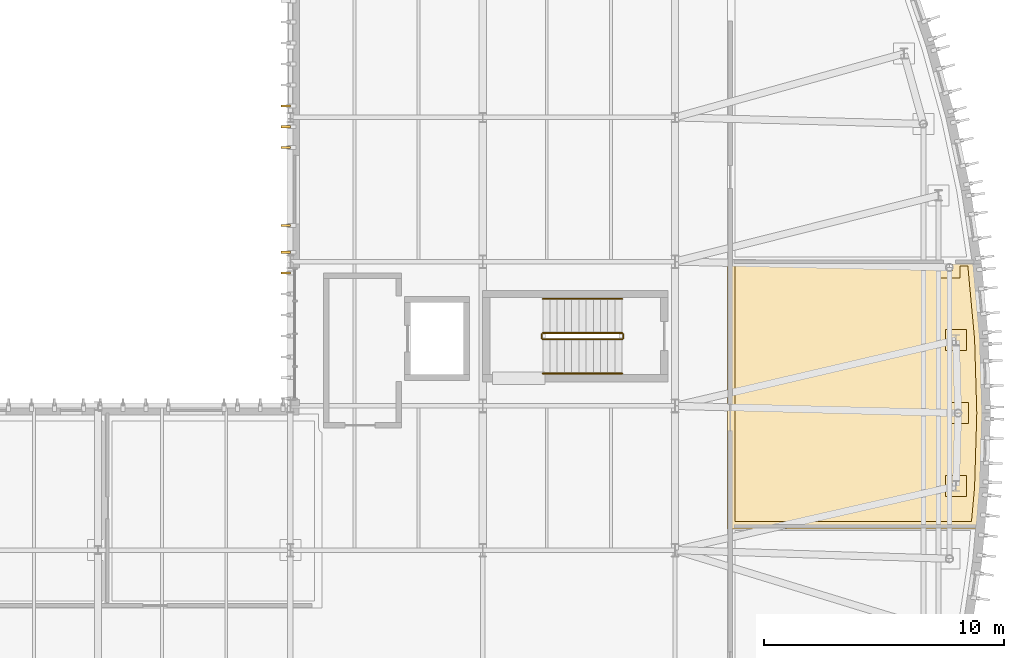
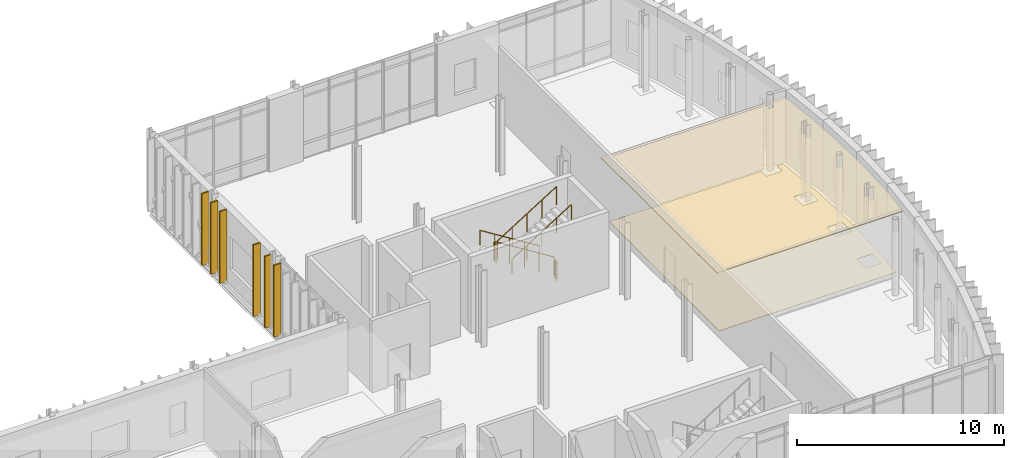
# One storey, part 85 of 86: 8 coverings, 6 railings.
"""IFC4 building model written with IfcOpenShell, lengths in metres."""

from ifc_helpers import new_model, si_unit, direction, frame, origin, origin_2d, place, context, subcontext, project, spatial, polyline, rectangle, circle, outline, extrude, material, layer, layer_set, type_object, element, save


model = new_model("IFC4")

# Units and contexts
model_context = context("Model", 3, precision=1e-05, world=origin(), true_north=direction((0.0, 1.0)))
body_context = subcontext(model_context, "Body", "Model", "MODEL_VIEW")
ifc_project = project(units=[si_unit("LENGTHUNIT", "METRE"), si_unit("AREAUNIT", "SQUARE_METRE"), si_unit("VOLUMEUNIT", "CUBIC_METRE"), si_unit("PLANEANGLEUNIT", "RADIAN"), si_unit("MASSUNIT", "GRAM", prefix="KILO")], contexts=[model_context])

# Site, building, storey
site_placement = place(None, origin())
site = spatial("IfcSite", under=ifc_project, at=site_placement, CompositionType="ELEMENT")
building_placement = place(site_placement, origin())
building = spatial("IfcBuilding", under=site, at=building_placement, Name="Cymarion Research Institute", CompositionType="ELEMENT")
storey_placement = place(building_placement, frame((0.0, 0.0, 13.800048828125)))
storey = spatial("IfcBuildingStorey", under=building, at=storey_placement, Name="L03", CompositionType="ELEMENT", Elevation=13.800048828125)

# Coverings
ifc_material_1 = material(Name="Micro-perforated mineral acoustic ceiling tile", Category="gypsum")
ifc_layer_1 = layer(ifc_material_1, 0.030029296875)
ifc_layer_set_1 = layer_set([ifc_layer_1], Name="Micro-perforated mineral acoustic ceiling tile")
covering_type_1 = type_object("IfcCoveringType", Name="ACOUSTIC MICRO-PERFORATED SUSPENDED CEILING CLG-01", PredefinedType="CEILING", material=ifc_layer_set_1)
covering_1_placement = place(storey_placement, frame((0.0, 0.0, 3.699951171875)))
element("IfcCovering", 1, at=covering_1_placement, inside=storey, type_object=covering_type_1, Name="L03 L03 Curved Prow Analytical Instrumentation Lab acoustic ceiling", PredefinedType="CEILING", context=body_context, shape_type="SweptSolid", body=[
    extrude(outline(polyline([(165.8779296875, 29.614990234375), (165.8779296875, 29.122314453125), (166.14794921875, 29.122314453125), (166.14794921875, 29.614990234375), (167.0517578125, 29.614990234375), (167.3583984375, 26.298583984375), (167.451416015625, 23.199951171875), (167.3583984375, 20.1015625), (167.20361328125, 18.385009765625), (156.784912109375, 18.385009765625), (156.784912109375, 29.614990234375), (165.8779296875, 29.614990234375)])), origin(), (0.0, 0.0, 1.0), 0.030029296875),
])
ifc_material_2 = material(Name="Precast concrete C45/55 architectural white", Category="concrete")
ifc_layer_2 = layer(ifc_material_2, 0.0849609375)
ifc_layer_set_2 = layer_set([ifc_layer_2], Name="Precast concrete C45/55 architectural white")
covering_type_2 = type_object("IfcCoveringType", Name="ARCHITECTURAL WHITE PRECAST CONCRETE VERTICAL FIN FIN3 380MM", PredefinedType="CLADDING", material=ifc_layer_set_2)
for number, where, z_axis, x_axis, name in (
    (2, (138.407958984375, 35.97998046875, 0.010009765625), (0.0, 0.0, 1.0), (-1.0, 0.0, 0.0), "L03 V1 white precast vertical fin FIN3 #376"),
    (3, (138.407958984375, 35.110107421875, 0.010009765625), (0.0, 0.0, 1.0), (-1.0, 0.0, 0.0), "L03 V1 white precast vertical fin FIN3 #377"),
    (4, (138.407958984375, 34.239990234375, 0.010009765625), (0.0, 0.0, 1.0), (-1.0, 0.0, 0.0), "L03 V1 white precast vertical fin FIN3 #378"),
    (5, (138.407958984375, 31.0048828125, 0.010009765625), (0.0, 0.0, 1.0), (-1.0, 0.0, 0.0), "L03 V1 white precast vertical fin FIN3 #379"),
    (6, (138.407958984375, 29.889892578125, 0.010009765625), (0.0, 0.0, 1.0), (-1.0, 0.0, 0.0), "L03 V1 white precast vertical fin FIN3 #380"),
    (7, (138.407958984375, 29.02001953125, 0.010009765625), (0.0, 0.0, 1.0), (-1.0, 0.0, 0.0), "L03 V1 white precast vertical fin FIN3 #381"),
):
    element("IfcCovering", number, at=place(storey_placement, frame(where, z_axis=z_axis, x_axis=x_axis)), inside=storey, type_object=covering_type_2, Name=name, PredefinedType="CLADDING", context=body_context, shape_type="SweptSolid", body=[
        extrude(rectangle(XDim=0.3798828125, YDim=0.0849609375, at=origin_2d()), origin(), (0.0, 0.0, 1.0), 4.22998046875),
    ])

# Railings
ifc_material_3 = material(Name="Steel S355", Category="steel")
railing_type_1 = type_object("IfcRailingType", Name="PAINTED STEEL STAIR GUARDRAIL GR1 1100MM", PredefinedType="GUARDRAIL", material=ifc_material_3)
railing_1_placement = place(storey_placement, frame((152.39990234375, 26.530029296875, 0.1875)))
element("IfcRailing", 8, at=railing_1_placement, inside=storey, type_object=railing_type_1, Name="L03 ST2 stair guard 1", PredefinedType="GUARDRAIL", context=body_context, shape_type="SweptSolid", body=[
    extrude(circle(Radius=0.02392578125, at=origin_2d()), frame((0.0, 0.0, 1.076171875), z_axis=(-0.847984204989, 0.0, 0.530021497762), x_axis=(0.0, -1.0, 0.0)), (0.0, 0.0, 1.0), 3.891357421875),
    extrude(circle(Radius=0.02099609375, at=origin_2d()), origin(), (0.0, 0.0, 1.0), 1.052001953125),
    extrude(circle(Radius=0.02099609375, at=origin_2d()), frame((-0.824951171875, 0.0, 0.515625)), (0.0, 0.0, 1.0), 1.052001953125),
    extrude(circle(Radius=0.02099609375, at=origin_2d()), frame((-1.64990234375, 0.0, 1.03125)), (0.0, 0.0, 1.0), 1.052001953125),
    extrude(circle(Radius=0.02099609375, at=origin_2d()), frame((-2.474853515625, 0.0, 1.546875)), (0.0, 0.0, 1.0), 1.052001953125),
    extrude(circle(Radius=0.02099609375, at=origin_2d()), frame((-3.2998046875, 0.0, 2.0625)), (0.0, 0.0, 1.0), 1.052001953125),
])
railing_2_placement = place(storey_placement, frame((149.050048828125, 26.47998046875, 2.25)))
element("IfcRailing", 9, at=railing_2_placement, inside=storey, type_object=railing_type_1, Name="L03 ST2 stair guard 2", PredefinedType="GUARDRAIL", context=body_context, shape_type="SweptSolid", body=[
    extrude(circle(Radius=0.02392578125, at=origin_2d()), frame((0.0, 0.0, 1.076171875), z_axis=(0.0, -1.0, 0.0), x_axis=(1.0, 0.0, 0.0)), (0.0, 0.0, 1.0), 0.159912109375),
    extrude(circle(Radius=0.02099609375, at=origin_2d()), origin(), (0.0, 0.0, 1.0), 1.052001953125),
    extrude(circle(Radius=0.02099609375, at=origin_2d()), frame((0.0, -0.159912109375, 0.0)), (0.0, 0.0, 1.0), 1.052001953125),
])
railing_3_placement = place(storey_placement, frame((149.10009765625, 26.27001953125, 2.4375)))
element("IfcRailing", 10, at=railing_3_placement, inside=storey, type_object=railing_type_1, Name="L03 ST2 stair guard 3", PredefinedType="GUARDRAIL", context=body_context, shape_type="SweptSolid", body=[
    extrude(circle(Radius=0.02392578125, at=origin_2d()), frame((0.0, 0.0, 1.076171875), z_axis=(0.847984204989, 0.0, 0.530021497762), x_axis=(0.0, 1.0, 0.0)), (0.0, 0.0, 1.0), 3.891357421875),
    extrude(circle(Radius=0.02099609375, at=origin_2d()), origin(), (0.0, 0.0, 1.0), 1.052001953125),
    extrude(circle(Radius=0.02099609375, at=origin_2d()), frame((0.824951171875, 0.0, 0.515625)), (0.0, 0.0, 1.0), 1.052001953125),
    extrude(circle(Radius=0.02099609375, at=origin_2d()), frame((1.64990234375, 0.0, 1.03125)), (0.0, 0.0, 1.0), 1.052001953125),
    extrude(circle(Radius=0.02099609375, at=origin_2d()), frame((2.474853515625, 0.0, 1.546875)), (0.0, 0.0, 1.0), 1.052001953125),
    extrude(circle(Radius=0.02099609375, at=origin_2d()), frame((3.2998046875, 0.0, 2.0625)), (0.0, 0.0, 1.0), 1.052001953125),
])
railing_4_placement = place(storey_placement, frame((152.449951171875, 26.47998046875, 0.0)))
element("IfcRailing", 11, at=railing_4_placement, inside=storey, type_object=railing_type_1, Name="L03 ST2 stair guard 4", PredefinedType="GUARDRAIL", context=body_context, shape_type="SweptSolid", body=[
    extrude(circle(Radius=0.02392578125, at=origin_2d()), frame((0.0, 0.0, 1.076171875), z_axis=(0.0, -1.0, 0.0), x_axis=(1.0, 0.0, 0.0)), (0.0, 0.0, 1.0), 0.159912109375),
    extrude(circle(Radius=0.02099609375, at=origin_2d()), origin(), (0.0, 0.0, 1.0), 1.052001953125),
    extrude(circle(Radius=0.02099609375, at=origin_2d()), frame((0.0, -0.159912109375, 0.0)), (0.0, 0.0, 1.0), 1.052001953125),
])

# Covering
ifc_material_4 = material(Name="Seamless dissipative epoxy resin flooring", Category="resin")
ifc_layer_3 = layer(ifc_material_4, 0.02001953125)
ifc_layer_set_3 = layer_set([ifc_layer_3], Name="Seamless dissipative epoxy resin flooring")
covering_type_3 = type_object("IfcCoveringType", Name="SEAMLESS ESD EPOXY LABORATORY FLOORING FLR-01", PredefinedType="FLOORING", material=ifc_layer_set_3)
covering_2_placement = place(storey_placement, origin())
element("IfcCovering", 12, at=covering_2_placement, inside=storey, type_object=covering_type_3, Name="L03 L03 Curved Prow Analytical Instrumentation Lab ESD epoxy flooring", PredefinedType="FLOORING", context=body_context, shape_type="SweptSolid", body=[
    extrude(outline(polyline([(157.0849609375, 29.31494140625), (165.577880859375, 29.31494140625), (165.577880859375, 28.822265625), (166.447998046875, 28.822265625), (166.447998046875, 29.31494140625), (166.7783203125, 29.31494140625), (167.058837890625, 26.2802734375), (167.151123046875, 23.199951171875), (167.058837890625, 20.11962890625), (166.929443359375, 18.68505859375), (157.0849609375, 18.68505859375), (157.0849609375, 29.31494140625)]), holes=[polyline([(166.8115234375, 23.635009765625), (165.94140625, 23.635009765625), (165.94140625, 22.764892578125), (166.8115234375, 22.764892578125), (166.8115234375, 23.635009765625)]), polyline([(166.720458984375, 20.60107421875), (165.8505859375, 20.60107421875), (165.8505859375, 19.73095703125), (166.720458984375, 19.73095703125), (166.720458984375, 20.60107421875)]), polyline([(166.720458984375, 26.6689453125), (165.8505859375, 26.6689453125), (165.8505859375, 25.799072265625), (166.720458984375, 25.799072265625), (166.720458984375, 26.6689453125)])]), origin(), (0.0, 0.0, 1.0), 0.02001953125),
])

# Railings
railing_type_2 = type_object("IfcRailingType", Name="STAINLESS STEEL STAIR HANDRAIL HR1 900MM", PredefinedType="HANDRAIL", material=ifc_material_3)
railing_5_placement = place(storey_placement, frame((152.39990234375, 27.949951171875, 0.1875)))
element("IfcRailing", 13, at=railing_5_placement, inside=storey, type_object=railing_type_2, Name="L03 ST2 stair handrail 1", PredefinedType="HANDRAIL", context=body_context, shape_type="SweptSolid", body=[
    extrude(circle(Radius=0.02392578125, at=origin_2d()), frame((0.0, 0.0, 0.8759765625), z_axis=(-0.847984204989, 0.0, 0.530021497762), x_axis=(0.0, -1.0, 0.0)), (0.0, 0.0, 1.0), 3.891357421875),
    extrude(circle(Radius=0.02099609375, at=origin_2d()), origin(), (0.0, 0.0, 1.0), 0.851806640625),
    extrude(circle(Radius=0.02099609375, at=origin_2d()), frame((-0.824951171875, 0.0, 0.515625)), (0.0, 0.0, 1.0), 0.851806640625),
    extrude(circle(Radius=0.02099609375, at=origin_2d()), frame((-1.64990234375, 0.0, 1.03125)), (0.0, 0.0, 1.0), 0.851806640625),
    extrude(circle(Radius=0.02099609375, at=origin_2d()), frame((-2.474853515625, 0.0, 1.546875)), (0.0, 0.0, 1.0), 0.851806640625),
    extrude(circle(Radius=0.02099609375, at=origin_2d()), frame((-3.2998046875, 0.0, 2.0625)), (0.0, 0.0, 1.0), 0.851806640625),
])
railing_6_placement = place(storey_placement, frame((149.10009765625, 24.85009765625, 2.4375)))
element("IfcRailing", 14, at=railing_6_placement, inside=storey, type_object=railing_type_2, Name="L03 ST2 stair handrail 2", PredefinedType="HANDRAIL", context=body_context, shape_type="SweptSolid", body=[
    extrude(circle(Radius=0.02392578125, at=origin_2d()), frame((0.0, 0.0, 0.8759765625), z_axis=(0.847984204989, 0.0, 0.530021497762), x_axis=(0.0, 1.0, 0.0)), (0.0, 0.0, 1.0), 3.891357421875),
    extrude(circle(Radius=0.02099609375, at=origin_2d()), origin(), (0.0, 0.0, 1.0), 0.851806640625),
    extrude(circle(Radius=0.02099609375, at=origin_2d()), frame((0.824951171875, 0.0, 0.515625)), (0.0, 0.0, 1.0), 0.851806640625),
    extrude(circle(Radius=0.02099609375, at=origin_2d()), frame((1.64990234375, 0.0, 1.03125)), (0.0, 0.0, 1.0), 0.851806640625),
    extrude(circle(Radius=0.02099609375, at=origin_2d()), frame((2.474853515625, 0.0, 1.546875)), (0.0, 0.0, 1.0), 0.851806640625),
    extrude(circle(Radius=0.02099609375, at=origin_2d()), frame((3.2998046875, 0.0, 2.0625)), (0.0, 0.0, 1.0), 0.851806640625),
])

save(model, "model.ifc")
